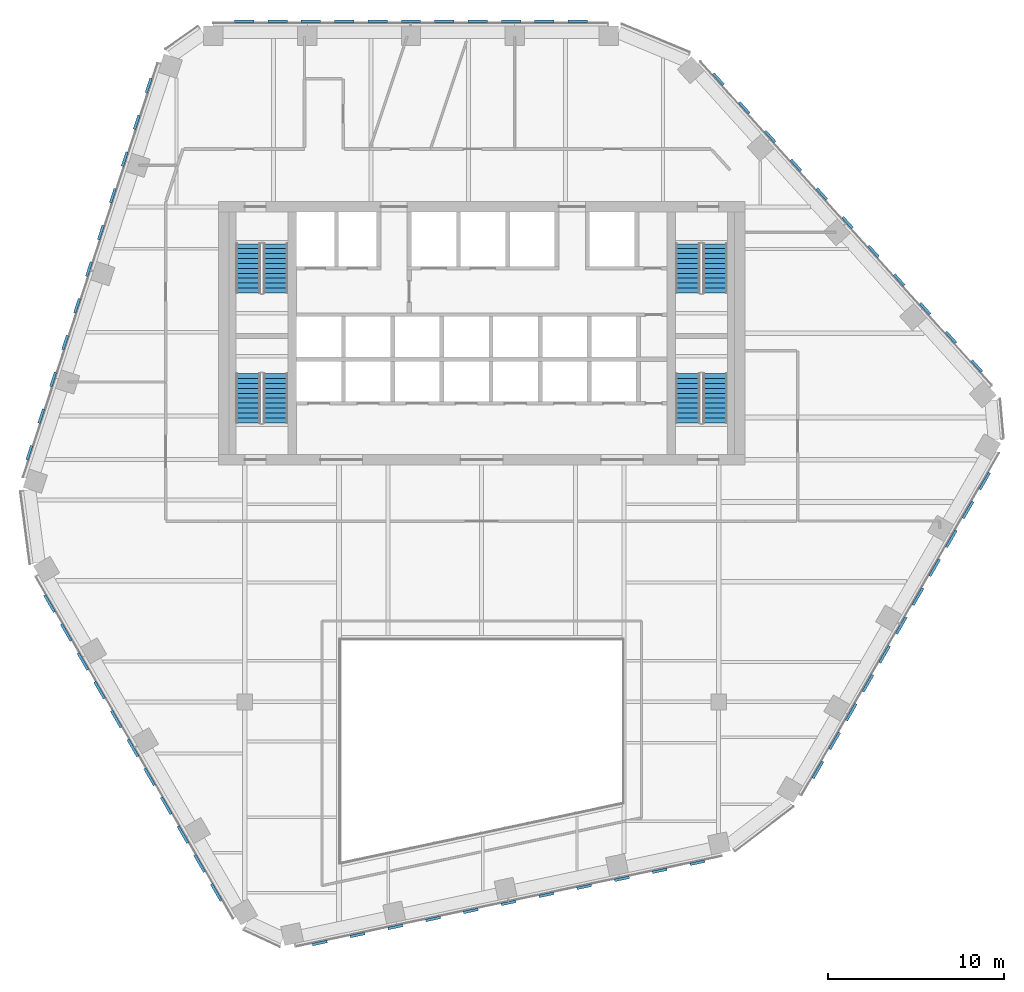
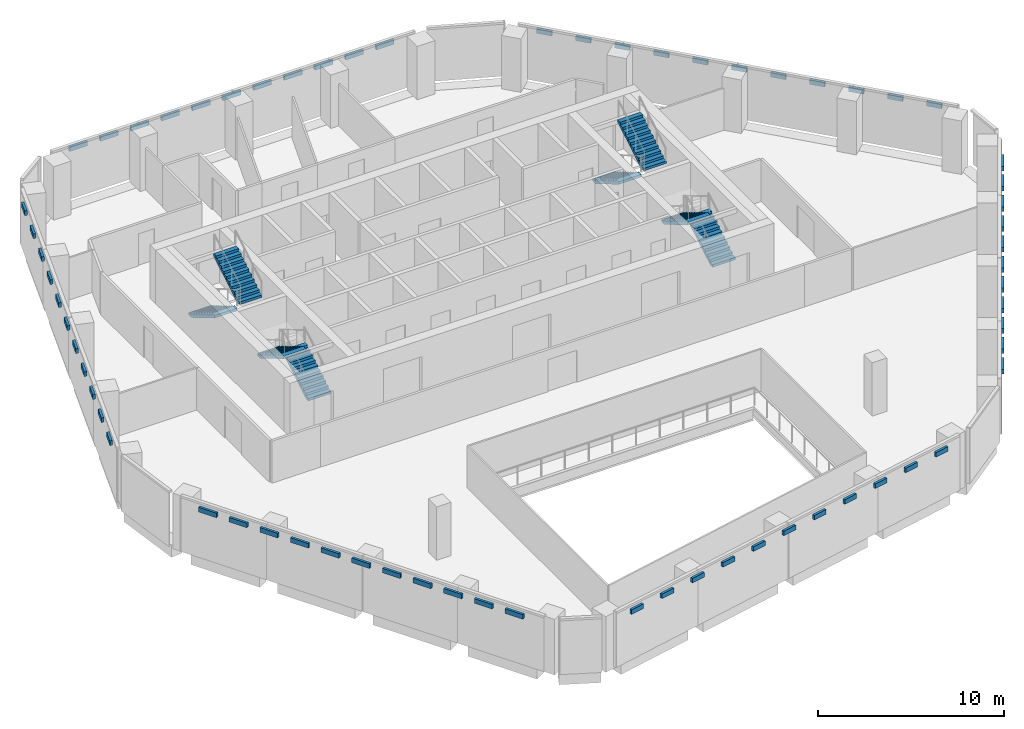
# One storey, part 11 of 16: 66 discrete accessories, 8 stair flights, 4 elements without a shape of their own.
"""IFC4 building model written with IfcOpenShell, lengths in metres."""

from ifc_helpers import new_model, si_unit, direction, frame, origin, origin_2d, place, context, subcontext, project, spatial, polyline, rectangle, outline, extrude, material, type_object, element, aggregate, save


model = new_model("IFC4")

# Units and contexts
model_context = context("Model", 3, precision=1e-05, world=origin(), true_north=direction((0.0, 1.0)))
body_context = subcontext(model_context, "Body", "Model", "MODEL_VIEW")
ifc_project = project(units=[si_unit("LENGTHUNIT", "METRE"), si_unit("AREAUNIT", "SQUARE_METRE"), si_unit("VOLUMEUNIT", "CUBIC_METRE"), si_unit("PLANEANGLEUNIT", "RADIAN"), si_unit("MASSUNIT", "GRAM", prefix="KILO")], contexts=[model_context])

# Site, building, storey
site_placement = place(None, origin())
site = spatial("IfcSite", under=ifc_project, at=site_placement, CompositionType="ELEMENT")
building_placement = place(site_placement, origin())
building = spatial("IfcBuilding", under=site, at=building_placement, Name="Isthmus Gate Tower", CompositionType="ELEMENT")
storey_placement = place(building_placement, frame((0.0, 0.0, 216.300048828125)))
storey = spatial("IfcBuildingStorey", under=building, at=storey_placement, Name="L54", CompositionType="ELEMENT", Elevation=216.300048828125)

# Stair, stair flights
ifc_material_1 = material(Name="Concrete f'c 40 MPa", Category="concrete")
stair_type = type_object("IfcStairType", Name="CORE STAIR 22 RISERS", PredefinedType="HALF_TURN_STAIR", material=ifc_material_1)
stair_1_placement = place(storey_placement, origin())
stair_1 = element("IfcStair", 1, at=stair_1_placement, inside=storey, type_object=stair_type, Name="L54 Exit Stair 1", PredefinedType="HALF_TURN_STAIR")
ifc_material_2 = material(Name="Concrete f'c 40 MPa", Category="concrete")
stair_flight_type = type_object("IfcStairFlightType", Name="STAIR FLIGHT RC 1400", PredefinedType="STRAIGHT", material=ifc_material_2)
stair_flight_1_placement = place(storey_placement, frame((-13.300048828125, 12.60009765625, 0.0), z_axis=(0.0, 0.0, 1.0), x_axis=(0.0, -1.0, 0.0)))
stair_flight_1 = element("IfcStairFlight", 2, at=stair_flight_1_placement, type_object=stair_flight_type, Name="ST1 flight 1", NumberOfRisers=11, NumberOfTreads=10, PredefinedType="STRAIGHT", RiserHeight=0.165909091, TreadLength=0.28, context=body_context, shape_type="SweptSolid", body=[
    extrude(outline(polyline([(0.0, 0.0), (0.0, 0.166015625), (0.280029296875, 0.166015625), (0.280029296875, 0.331787109375), (0.56005859375, 0.331787109375), (0.56005859375, 0.497802734375), (0.840087890625, 0.497802734375), (0.840087890625, 0.66357421875), (1.1201171875, 0.66357421875), (1.1201171875, 0.82958984375), (1.39990234375, 0.82958984375), (1.39990234375, 0.995361328125), (1.679931640625, 0.995361328125), (1.679931640625, 1.161376953125), (1.9599609375, 1.161376953125), (1.9599609375, 1.327392578125), (2.239990234375, 1.327392578125), (2.239990234375, 1.4931640625), (2.52001953125, 1.4931640625), (2.52001953125, 1.6591796875), (2.800048828125, 1.6591796875), (2.800048828125, 1.824951171875), (2.800048828125, 1.48486328125), (0.2939453125, 0.0), (0.0, 0.0)])), frame((0.0, 0.699951171875, 0.0), z_axis=(0.0, -1.0, 0.0), x_axis=(1.0, 0.0, 0.0)), (0.0, 0.0, 1.0), 1.39990234375),
])
stair_flight_2_placement = place(storey_placement, frame((-11.75, 9.800048828125, 1.824951171875), z_axis=(0.0, 0.0, 1.0), x_axis=(0.0, 1.0, 0.0)))
stair_flight_2 = element("IfcStairFlight", 3, at=stair_flight_2_placement, type_object=stair_flight_type, Name="ST1 flight 2", NumberOfRisers=11, NumberOfTreads=10, PredefinedType="STRAIGHT", RiserHeight=0.165909091, TreadLength=0.28, context=body_context, shape_type="SweptSolid", body=[
    extrude(outline(polyline([(0.0, 0.0), (0.0, 0.166015625), (0.280029296875, 0.166015625), (0.280029296875, 0.331787109375), (0.56005859375, 0.331787109375), (0.56005859375, 0.497802734375), (0.840087890625, 0.497802734375), (0.840087890625, 0.66357421875), (1.1201171875, 0.66357421875), (1.1201171875, 0.82958984375), (1.39990234375, 0.82958984375), (1.39990234375, 0.995361328125), (1.679931640625, 0.995361328125), (1.679931640625, 1.161376953125), (1.9599609375, 1.161376953125), (1.9599609375, 1.327392578125), (2.239990234375, 1.327392578125), (2.239990234375, 1.4931640625), (2.52001953125, 1.4931640625), (2.52001953125, 1.6591796875), (2.800048828125, 1.6591796875), (2.800048828125, 1.824951171875), (2.800048828125, 1.48486328125), (0.2939453125, 0.0), (0.0, 0.0)])), frame((0.0, 0.699951171875, 0.0), z_axis=(0.0, -1.0, 0.0), x_axis=(1.0, 0.0, 0.0)), (0.0, 0.0, 1.0), 1.39990234375),
])
aggregate(stair_1, [stair_flight_1, stair_flight_2])

stair_2_placement = place(storey_placement, origin())
stair_2 = element("IfcStair", 4, at=stair_2_placement, inside=storey, type_object=stair_type, Name="L54 Exit Stair 2", PredefinedType="HALF_TURN_STAIR")
stair_flight_3_placement = place(storey_placement, frame((11.75, 12.60009765625, 0.0), z_axis=(0.0, 0.0, 1.0), x_axis=(0.0, -1.0, 0.0)))
stair_flight_3 = element("IfcStairFlight", 5, at=stair_flight_3_placement, type_object=stair_flight_type, Name="ST2 flight 1", NumberOfRisers=11, NumberOfTreads=10, PredefinedType="STRAIGHT", RiserHeight=0.165909091, TreadLength=0.28, context=body_context, shape_type="SweptSolid", body=[
    extrude(outline(polyline([(0.0, 0.0), (0.0, 0.166015625), (0.280029296875, 0.166015625), (0.280029296875, 0.331787109375), (0.56005859375, 0.331787109375), (0.56005859375, 0.497802734375), (0.840087890625, 0.497802734375), (0.840087890625, 0.66357421875), (1.1201171875, 0.66357421875), (1.1201171875, 0.82958984375), (1.39990234375, 0.82958984375), (1.39990234375, 0.995361328125), (1.679931640625, 0.995361328125), (1.679931640625, 1.161376953125), (1.9599609375, 1.161376953125), (1.9599609375, 1.327392578125), (2.239990234375, 1.327392578125), (2.239990234375, 1.4931640625), (2.52001953125, 1.4931640625), (2.52001953125, 1.6591796875), (2.800048828125, 1.6591796875), (2.800048828125, 1.824951171875), (2.800048828125, 1.48486328125), (0.2939453125, 0.0), (0.0, 0.0)])), frame((0.0, 0.699951171875, 0.0), z_axis=(0.0, -1.0, 0.0), x_axis=(1.0, 0.0, 0.0)), (0.0, 0.0, 1.0), 1.39990234375),
])
stair_flight_4_placement = place(storey_placement, frame((13.300048828125, 9.800048828125, 1.824951171875), z_axis=(0.0, 0.0, 1.0), x_axis=(0.0, 1.0, 0.0)))
stair_flight_4 = element("IfcStairFlight", 6, at=stair_flight_4_placement, type_object=stair_flight_type, Name="ST2 flight 2", NumberOfRisers=11, NumberOfTreads=10, PredefinedType="STRAIGHT", RiserHeight=0.165909091, TreadLength=0.28, context=body_context, shape_type="SweptSolid", body=[
    extrude(outline(polyline([(0.0, 0.0), (0.0, 0.166015625), (0.280029296875, 0.166015625), (0.280029296875, 0.331787109375), (0.56005859375, 0.331787109375), (0.56005859375, 0.497802734375), (0.840087890625, 0.497802734375), (0.840087890625, 0.66357421875), (1.1201171875, 0.66357421875), (1.1201171875, 0.82958984375), (1.39990234375, 0.82958984375), (1.39990234375, 0.995361328125), (1.679931640625, 0.995361328125), (1.679931640625, 1.161376953125), (1.9599609375, 1.161376953125), (1.9599609375, 1.327392578125), (2.239990234375, 1.327392578125), (2.239990234375, 1.4931640625), (2.52001953125, 1.4931640625), (2.52001953125, 1.6591796875), (2.800048828125, 1.6591796875), (2.800048828125, 1.824951171875), (2.800048828125, 1.48486328125), (0.2939453125, 0.0), (0.0, 0.0)])), frame((0.0, 0.699951171875, 0.0), z_axis=(0.0, -1.0, 0.0), x_axis=(1.0, 0.0, 0.0)), (0.0, 0.0, 1.0), 1.39990234375),
])
aggregate(stair_2, [stair_flight_3, stair_flight_4])

stair_3_placement = place(storey_placement, origin())
stair_3 = element("IfcStair", 7, at=stair_3_placement, inside=storey, type_object=stair_type, Name="L54 Exit Stair 7", PredefinedType="HALF_TURN_STAIR")
stair_flight_5_placement = place(storey_placement, frame((-11.75, 2.39990234375, 0.0), z_axis=(0.0, 0.0, 1.0), x_axis=(0.0, 1.0, 0.0)))
stair_flight_5 = element("IfcStairFlight", 8, at=stair_flight_5_placement, type_object=stair_flight_type, Name="ST7 flight 1", NumberOfRisers=11, NumberOfTreads=10, PredefinedType="STRAIGHT", RiserHeight=0.165909091, TreadLength=0.28, context=body_context, shape_type="SweptSolid", body=[
    extrude(outline(polyline([(0.0, 0.0), (0.0, 0.166015625), (0.280029296875, 0.166015625), (0.280029296875, 0.331787109375), (0.56005859375, 0.331787109375), (0.56005859375, 0.497802734375), (0.840087890625, 0.497802734375), (0.840087890625, 0.66357421875), (1.1201171875, 0.66357421875), (1.1201171875, 0.82958984375), (1.39990234375, 0.82958984375), (1.39990234375, 0.995361328125), (1.679931640625, 0.995361328125), (1.679931640625, 1.161376953125), (1.9599609375, 1.161376953125), (1.9599609375, 1.327392578125), (2.239990234375, 1.327392578125), (2.239990234375, 1.4931640625), (2.52001953125, 1.4931640625), (2.52001953125, 1.6591796875), (2.800048828125, 1.6591796875), (2.800048828125, 1.824951171875), (2.800048828125, 1.48486328125), (0.2939453125, 0.0), (0.0, 0.0)])), frame((0.0, 0.699951171875, 0.0), z_axis=(0.0, -1.0, 0.0), x_axis=(1.0, 0.0, 0.0)), (0.0, 0.0, 1.0), 1.39990234375),
])
stair_flight_6_placement = place(storey_placement, frame((-13.300048828125, 5.199951171875, 1.824951171875), z_axis=(0.0, 0.0, 1.0), x_axis=(0.0, -1.0, 0.0)))
stair_flight_6 = element("IfcStairFlight", 9, at=stair_flight_6_placement, type_object=stair_flight_type, Name="ST7 flight 2", NumberOfRisers=11, NumberOfTreads=10, PredefinedType="STRAIGHT", RiserHeight=0.165909091, TreadLength=0.28, context=body_context, shape_type="SweptSolid", body=[
    extrude(outline(polyline([(0.0, 0.0), (0.0, 0.166015625), (0.280029296875, 0.166015625), (0.280029296875, 0.331787109375), (0.56005859375, 0.331787109375), (0.56005859375, 0.497802734375), (0.840087890625, 0.497802734375), (0.840087890625, 0.66357421875), (1.1201171875, 0.66357421875), (1.1201171875, 0.82958984375), (1.39990234375, 0.82958984375), (1.39990234375, 0.995361328125), (1.679931640625, 0.995361328125), (1.679931640625, 1.161376953125), (1.9599609375, 1.161376953125), (1.9599609375, 1.327392578125), (2.239990234375, 1.327392578125), (2.239990234375, 1.4931640625), (2.52001953125, 1.4931640625), (2.52001953125, 1.6591796875), (2.800048828125, 1.6591796875), (2.800048828125, 1.824951171875), (2.800048828125, 1.48486328125), (0.2939453125, 0.0), (0.0, 0.0)])), frame((0.0, 0.699951171875, 0.0), z_axis=(0.0, -1.0, 0.0), x_axis=(1.0, 0.0, 0.0)), (0.0, 0.0, 1.0), 1.39990234375),
])
aggregate(stair_3, [stair_flight_5, stair_flight_6])

stair_4_placement = place(storey_placement, origin())
stair_4 = element("IfcStair", 10, at=stair_4_placement, inside=storey, type_object=stair_type, Name="L54 Exit Stair 8", PredefinedType="HALF_TURN_STAIR")
stair_flight_7_placement = place(storey_placement, frame((13.300048828125, 2.39990234375, 0.0), z_axis=(0.0, 0.0, 1.0), x_axis=(0.0, 1.0, 0.0)))
stair_flight_7 = element("IfcStairFlight", 11, at=stair_flight_7_placement, type_object=stair_flight_type, Name="ST8 flight 1", NumberOfRisers=11, NumberOfTreads=10, PredefinedType="STRAIGHT", RiserHeight=0.165909091, TreadLength=0.28, context=body_context, shape_type="SweptSolid", body=[
    extrude(outline(polyline([(0.0, 0.0), (0.0, 0.166015625), (0.280029296875, 0.166015625), (0.280029296875, 0.331787109375), (0.56005859375, 0.331787109375), (0.56005859375, 0.497802734375), (0.840087890625, 0.497802734375), (0.840087890625, 0.66357421875), (1.1201171875, 0.66357421875), (1.1201171875, 0.82958984375), (1.39990234375, 0.82958984375), (1.39990234375, 0.995361328125), (1.679931640625, 0.995361328125), (1.679931640625, 1.161376953125), (1.9599609375, 1.161376953125), (1.9599609375, 1.327392578125), (2.239990234375, 1.327392578125), (2.239990234375, 1.4931640625), (2.52001953125, 1.4931640625), (2.52001953125, 1.6591796875), (2.800048828125, 1.6591796875), (2.800048828125, 1.824951171875), (2.800048828125, 1.48486328125), (0.2939453125, 0.0), (0.0, 0.0)])), frame((0.0, 0.699951171875, 0.0), z_axis=(0.0, -1.0, 0.0), x_axis=(1.0, 0.0, 0.0)), (0.0, 0.0, 1.0), 1.39990234375),
])
stair_flight_8_placement = place(storey_placement, frame((11.75, 5.199951171875, 1.824951171875), z_axis=(0.0, 0.0, 1.0), x_axis=(0.0, -1.0, 0.0)))
stair_flight_8 = element("IfcStairFlight", 12, at=stair_flight_8_placement, type_object=stair_flight_type, Name="ST8 flight 2", NumberOfRisers=11, NumberOfTreads=10, PredefinedType="STRAIGHT", RiserHeight=0.165909091, TreadLength=0.28, context=body_context, shape_type="SweptSolid", body=[
    extrude(outline(polyline([(0.0, 0.0), (0.0, 0.166015625), (0.280029296875, 0.166015625), (0.280029296875, 0.331787109375), (0.56005859375, 0.331787109375), (0.56005859375, 0.497802734375), (0.840087890625, 0.497802734375), (0.840087890625, 0.66357421875), (1.1201171875, 0.66357421875), (1.1201171875, 0.82958984375), (1.39990234375, 0.82958984375), (1.39990234375, 0.995361328125), (1.679931640625, 0.995361328125), (1.679931640625, 1.161376953125), (1.9599609375, 1.161376953125), (1.9599609375, 1.327392578125), (2.239990234375, 1.327392578125), (2.239990234375, 1.4931640625), (2.52001953125, 1.4931640625), (2.52001953125, 1.6591796875), (2.800048828125, 1.6591796875), (2.800048828125, 1.824951171875), (2.800048828125, 1.48486328125), (0.2939453125, 0.0), (0.0, 0.0)])), frame((0.0, 0.699951171875, 0.0), z_axis=(0.0, -1.0, 0.0), x_axis=(1.0, 0.0, 0.0)), (0.0, 0.0, 1.0), 1.39990234375),
])
aggregate(stair_4, [stair_flight_7, stair_flight_8])

# Discrete accessories
ifc_material_3 = material(Name="Structural steel ASTM A572 Gr 50, white paint system", Category="steel")
discrete_accessory_type_1 = type_object("IfcDiscreteAccessoryType", Name="FIN BRACKET 1109 X 150 X 300", PredefinedType="BRACKET", material=ifc_material_3)
for number, where, z_axis, x_axis, name in (
    (13, (5.469970703125, 25.27490234375, 3.10009765625), (0.0, 0.0, 1.0), (0.0, 1.0, 0.0), "FIN BRACKET"),
    (14, (3.56982421875, 25.27490234375, 3.10009765625), (0.0, 0.0, 1.0), (0.0, 1.0, 0.0), "FIN BRACKET"),
    (15, (1.669921875, 25.27490234375, 3.10009765625), (0.0, 0.0, 1.0), (0.0, 1.0, 0.0), "FIN BRACKET"),
    (16, (-0.22998046875, 25.27490234375, 3.10009765625), (0.0, 0.0, 1.0), (0.0, 1.0, 0.0), "FIN BRACKET"),
    (17, (-2.130126953125, 25.27490234375, 3.10009765625), (0.0, 0.0, 1.0), (0.0, 1.0, 0.0), "FIN BRACKET"),
    (18, (-4.030029296875, 25.27490234375, 3.10009765625), (0.0, 0.0, 1.0), (0.0, 1.0, 0.0), "FIN BRACKET"),
    (19, (-5.93017578125, 25.27490234375, 3.10009765625), (0.0, 0.0, 1.0), (0.0, 1.0, 0.0), "FIN BRACKET"),
    (20, (-7.830078125, 25.27490234375, 3.10009765625), (0.0, 0.0, 1.0), (0.0, 1.0, 0.0), "FIN BRACKET"),
    (21, (-9.72998046875, 25.27490234375, 3.10009765625), (0.0, 0.0, 1.0), (0.0, 1.0, 0.0), "FIN BRACKET"),
    (22, (-11.630126953125, 25.27490234375, 3.10009765625), (0.0, 0.0, 1.0), (0.0, 1.0, 0.0), "FIN BRACKET"),
    (23, (-13.530029296875, 25.27490234375, 3.10009765625), (0.0, 0.0, 1.0), (0.0, 1.0, 0.0), "FIN BRACKET"),
    (24, (-24.623779296875, -7.900390625, 3.10009765625), (0.0, 0.0, 1.0), (-0.866025403784, -0.5, 0.0), "FIN BRACKET"),
    (25, (-23.673828125, -9.5458984375, 3.10009765625), (0.0, 0.0, 1.0), (-0.866025403784, -0.5, 0.0), "FIN BRACKET"),
    (26, (-22.7236328125, -11.19140625, 3.10009765625), (0.0, 0.0, 1.0), (-0.866025403784, -0.5, 0.0), "FIN BRACKET"),
    (27, (-21.773681640625, -12.836669921875, 3.10009765625), (0.0, 0.0, 1.0), (-0.866025403784, -0.5, 0.0), "FIN BRACKET"),
    (28, (-20.82373046875, -14.482177734375, 3.10009765625), (0.0, 0.0, 1.0), (-0.866025403784, -0.5, 0.0), "FIN BRACKET"),
    (29, (-19.873779296875, -16.127685546875, 3.10009765625), (0.0, 0.0, 1.0), (-0.866025403784, -0.5, 0.0), "FIN BRACKET"),
    (30, (-18.923828125, -17.773193359375, 3.10009765625), (0.0, 0.0, 1.0), (-0.866025403784, -0.5, 0.0), "FIN BRACKET"),
    (31, (-17.9736328125, -19.41845703125, 3.10009765625), (0.0, 0.0, 1.0), (-0.866025403784, -0.5, 0.0), "FIN BRACKET"),
    (32, (-17.023681640625, -21.06396484375, 3.10009765625), (0.0, 0.0, 1.0), (-0.866025403784, -0.5, 0.0), "FIN BRACKET"),
    (33, (-16.07373046875, -22.70947265625, 3.10009765625), (0.0, 0.0, 1.0), (-0.866025403784, -0.5, 0.0), "FIN BRACKET"),
    (34, (-15.123779296875, -24.35498046875, 3.10009765625), (0.0, 0.0, 1.0), (-0.866025403784, -0.5, 0.0), "FIN BRACKET"),
    (35, (19.15380859375, -17.37451171875, 3.10009765625), (0.0, 0.0, 1.0), (0.866025403784, -0.5, 0.0), "FIN BRACKET"),
    (36, (20.103759765625, -15.729248046875, 3.10009765625), (0.0, 0.0, 1.0), (0.866025403784, -0.5, 0.0), "FIN BRACKET"),
    (37, (21.053955078125, -14.083740234375, 3.10009765625), (0.0, 0.0, 1.0), (0.866025403784, -0.5, 0.0), "FIN BRACKET"),
    (38, (22.00390625, -12.438232421875, 3.10009765625), (0.0, 0.0, 1.0), (0.866025403784, -0.5, 0.0), "FIN BRACKET"),
    (39, (22.953857421875, -10.792724609375, 3.10009765625), (0.0, 0.0, 1.0), (0.866025403784, -0.5, 0.0), "FIN BRACKET"),
    (40, (23.90380859375, -9.1474609375, 3.10009765625), (0.0, 0.0, 1.0), (0.866025403784, -0.5, 0.0), "FIN BRACKET"),
    (41, (24.853759765625, -7.501953125, 3.10009765625), (0.0, 0.0, 1.0), (0.866025403784, -0.5, 0.0), "FIN BRACKET"),
    (42, (25.803955078125, -5.8564453125, 3.10009765625), (0.0, 0.0, 1.0), (0.866025403784, -0.5, 0.0), "FIN BRACKET"),
    (43, (26.75390625, -4.2109375, 3.10009765625), (0.0, 0.0, 1.0), (0.866025403784, -0.5, 0.0), "FIN BRACKET"),
    (44, (27.703857421875, -2.5654296875, 3.10009765625), (0.0, 0.0, 1.0), (0.866025403784, -0.5, 0.0), "FIN BRACKET"),
    (45, (28.65380859375, -0.920166015625, 3.10009765625), (0.0, 0.0, 1.0), (0.866025403784, -0.5, 0.0), "FIN BRACKET"),
):
    element("IfcDiscreteAccessory", number, at=place(storey_placement, frame(where, z_axis=z_axis, x_axis=x_axis)), inside=storey, type_object=discrete_accessory_type_1, Name=name, PredefinedType="BRACKET", context=body_context, shape_type="SweptSolid", body=[
        extrude(rectangle(XDim=0.14990234375, YDim=1.1083984375, at=origin_2d()), origin(), (0.0, 0.0, 1.0), 0.300048828125),
    ])
ifc_material_4 = material(Name="Structural steel ASTM A572 Gr 50, white paint system", Category="steel")
discrete_accessory_type_2 = type_object("IfcDiscreteAccessoryType", Name="FIN BRACKET 855 X 150 X 300", PredefinedType="BRACKET", material=ifc_material_4)
for number, where, z_axis, x_axis, name in (
    (46, (-18.978759765625, 21.61328125, 3.10009765625), (0.0, 0.0, 1.0), (-0.951056516295, 0.309016994375, 0.0), "FIN BRACKET"),
    (47, (-19.658447265625, 19.52099609375, 3.10009765625), (0.0, 0.0, 1.0), (-0.951056516295, 0.309016994375, 0.0), "FIN BRACKET"),
    (48, (-20.33837890625, 17.4287109375, 3.10009765625), (0.0, 0.0, 1.0), (-0.951056516295, 0.309016994375, 0.0), "FIN BRACKET"),
    (49, (-21.018310546875, 15.336181640625, 3.10009765625), (0.0, 0.0, 1.0), (-0.951056516295, 0.309016994375, 0.0), "FIN BRACKET"),
    (50, (-21.697998046875, 13.243896484375, 3.10009765625), (0.0, 0.0, 1.0), (-0.951056516295, 0.309016994375, 0.0), "FIN BRACKET"),
    (51, (-22.3779296875, 11.151611328125, 3.10009765625), (0.0, 0.0, 1.0), (-0.951056516295, 0.309016994375, 0.0), "FIN BRACKET"),
    (52, (-23.0576171875, 9.059326171875, 3.10009765625), (0.0, 0.0, 1.0), (-0.951056516295, 0.309016994375, 0.0), "FIN BRACKET"),
    (53, (-23.737548828125, 6.967041015625, 3.10009765625), (0.0, 0.0, 1.0), (-0.951056516295, 0.309016994375, 0.0), "FIN BRACKET"),
    (54, (-24.41748046875, 4.874755859375, 3.10009765625), (0.0, 0.0, 1.0), (-0.951056516295, 0.309016994375, 0.0), "FIN BRACKET"),
    (55, (-25.09716796875, 2.7822265625, 3.10009765625), (0.0, 0.0, 1.0), (-0.951056516295, 0.309016994375, 0.0), "FIN BRACKET"),
    (56, (-25.777099609375, 0.68994140625, 3.10009765625), (0.0, 0.0, 1.0), (-0.951056516295, 0.309016994375, 0.0), "FIN BRACKET"),
    (57, (-9.228271484375, -27.24267578125, 3.10009765625), (0.0, 0.0, 1.0), (0.207911690818, -0.978147600734, 0.0), "FIN BRACKET"),
    (58, (-7.076416015625, -26.78515625, 3.10009765625), (0.0, 0.0, 1.0), (0.207911690818, -0.978147600734, 0.0), "FIN BRACKET"),
    (59, (-4.92431640625, -26.327880859375, 3.10009765625), (0.0, 0.0, 1.0), (0.207911690818, -0.978147600734, 0.0), "FIN BRACKET"),
    (60, (-2.7724609375, -25.870361328125, 3.10009765625), (0.0, 0.0, 1.0), (0.207911690818, -0.978147600734, 0.0), "FIN BRACKET"),
    (61, (-0.62060546875, -25.4130859375, 3.10009765625), (0.0, 0.0, 1.0), (0.207911690818, -0.978147600734, 0.0), "FIN BRACKET"),
    (62, (1.53125, -24.95556640625, 3.10009765625), (0.0, 0.0, 1.0), (0.207911690818, -0.978147600734, 0.0), "FIN BRACKET"),
    (63, (3.683349609375, -24.498291015625, 3.10009765625), (0.0, 0.0, 1.0), (0.207911690818, -0.978147600734, 0.0), "FIN BRACKET"),
    (64, (5.835205078125, -24.040771484375, 3.10009765625), (0.0, 0.0, 1.0), (0.207911690818, -0.978147600734, 0.0), "FIN BRACKET"),
    (65, (7.987060546875, -23.58349609375, 3.10009765625), (0.0, 0.0, 1.0), (0.207911690818, -0.978147600734, 0.0), "FIN BRACKET"),
    (66, (10.13916015625, -23.1259765625, 3.10009765625), (0.0, 0.0, 1.0), (0.207911690818, -0.978147600734, 0.0), "FIN BRACKET"),
    (67, (12.291015625, -22.668701171875, 3.10009765625), (0.0, 0.0, 1.0), (0.207911690818, -0.978147600734, 0.0), "FIN BRACKET"),
    (68, (28.20703125, 5.62939453125, 3.10009765625), (0.0, 0.0, 1.0), (0.743144825477, 0.669130606359, 0.0), "FIN BRACKET"),
    (69, (26.73486328125, 7.264404296875, 3.10009765625), (0.0, 0.0, 1.0), (0.743144825477, 0.669130606359, 0.0), "FIN BRACKET"),
    (70, (25.2626953125, 8.899169921875, 3.10009765625), (0.0, 0.0, 1.0), (0.743144825477, 0.669130606359, 0.0), "FIN BRACKET"),
    (71, (23.790771484375, 10.5341796875, 3.10009765625), (0.0, 0.0, 1.0), (0.743144825477, 0.669130606359, 0.0), "FIN BRACKET"),
    (72, (22.318603515625, 12.169189453125, 3.10009765625), (0.0, 0.0, 1.0), (0.743144825477, 0.669130606359, 0.0), "FIN BRACKET"),
    (73, (20.846435546875, 13.803955078125, 3.10009765625), (0.0, 0.0, 1.0), (0.743144825477, 0.669130606359, 0.0), "FIN BRACKET"),
    (74, (19.37451171875, 15.43896484375, 3.10009765625), (0.0, 0.0, 1.0), (0.743144825477, 0.669130606359, 0.0), "FIN BRACKET"),
    (75, (17.90234375, 17.07373046875, 3.10009765625), (0.0, 0.0, 1.0), (0.743144825477, 0.669130606359, 0.0), "FIN BRACKET"),
    (76, (16.43017578125, 18.708740234375, 3.10009765625), (0.0, 0.0, 1.0), (0.743144825477, 0.669130606359, 0.0), "FIN BRACKET"),
    (77, (14.958251953125, 20.34375, 3.10009765625), (0.0, 0.0, 1.0), (0.743144825477, 0.669130606359, 0.0), "FIN BRACKET"),
    (78, (13.486083984375, 21.978515625, 3.10009765625), (0.0, 0.0, 1.0), (0.743144825477, 0.669130606359, 0.0), "FIN BRACKET"),
):
    element("IfcDiscreteAccessory", number, at=place(storey_placement, frame(where, z_axis=z_axis, x_axis=x_axis)), inside=storey, type_object=discrete_accessory_type_2, Name=name, PredefinedType="BRACKET", context=body_context, shape_type="SweptSolid", body=[
        extrude(rectangle(XDim=0.14990234375, YDim=0.854736328125, at=origin_2d()), origin(), (0.0, 0.0, 1.0), 0.300048828125),
    ])

save(model, "model.ifc")
